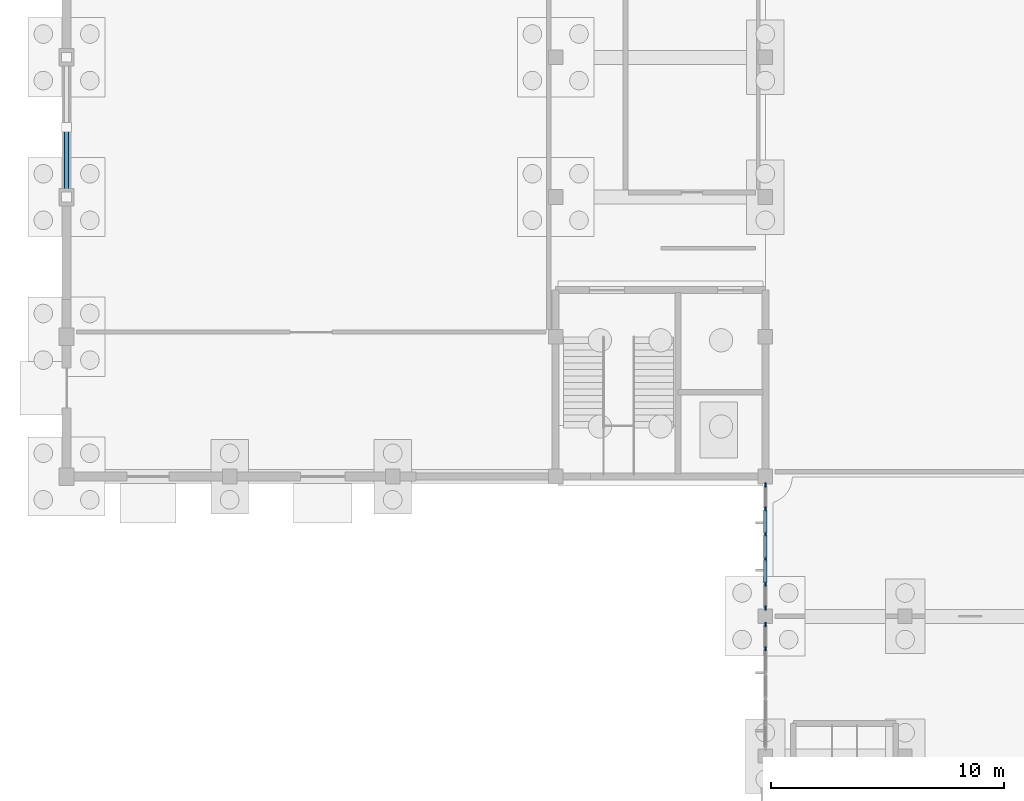
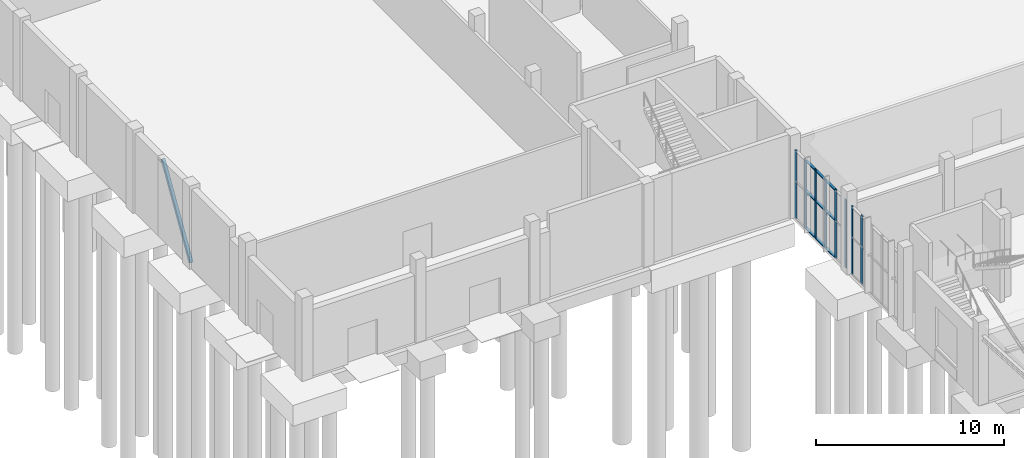
# One storey, part 9 of 69: 18 members, 2 elements without a shape of their own.
"""IFC4 building model written with IfcOpenShell, lengths in metres."""

from ifc_helpers import new_model, si_unit, direction, frame, origin, origin_2d, place, context, subcontext, project, spatial, rectangle, hollow_rectangle, extrude, material, layer, layer_set, material_profile, profile_set, type_object, element, aggregate, save


model = new_model("IFC4")

# Units and contexts
model_context = context("Model", 3, precision=1e-05, world=origin(), true_north=direction((0.0, 1.0)))
body_context = subcontext(model_context, "Body", "Model", "MODEL_VIEW")
ifc_project = project(units=[si_unit("LENGTHUNIT", "METRE"), si_unit("AREAUNIT", "SQUARE_METRE"), si_unit("VOLUMEUNIT", "CUBIC_METRE"), si_unit("PLANEANGLEUNIT", "RADIAN"), si_unit("MASSUNIT", "GRAM", prefix="KILO")], contexts=[model_context])

# Site, building, storey
site_placement = place(None, origin())
site = spatial("IfcSite", under=ifc_project, at=site_placement, CompositionType="ELEMENT")
building_placement = place(site_placement, origin())
building = spatial("IfcBuilding", under=site, at=building_placement, Name="Solvane Community Centre", CompositionType="ELEMENT")
storey_placement = place(building_placement, origin())
storey = spatial("IfcBuildingStorey", under=building, at=storey_placement, Name="L00", CompositionType="ELEMENT", Elevation=0.0)

# Curtain wall, members
ifc_material_1 = material(Name="Anodised bronze aluminium AW-6063 T6", Category="aluminium")
ifc_layer = layer(ifc_material_1, 0.18994140625)
ifc_layer_set = layer_set([ifc_layer], Name="Anodised bronze aluminium AW-6063 T6")
curtain_wall_type = type_object("IfcCurtainWallType", Name="Boulevard Bronze Vision Curtain Wall [54x44dm]", PredefinedType="NOTDEFINED", material=ifc_layer_set)
curtain_wall_1_placement = place(storey_placement, origin())
curtain_wall_1 = element("IfcCurtainWall", 1, at=curtain_wall_1_placement, inside=storey, type_object=curtain_wall_type, Name="Curtain Wall CW-L00-360_303-003", PredefinedType="NOTDEFINED")
ifc_material_profile_1 = material_profile(ifc_material_1, rectangle(XDim=0.06005859375, YDim=0.18994140625, at=origin_2d()), Name="CW-M 60x190")
ifc_profile_set_1 = profile_set([ifc_material_profile_1], Name="Anodised bronze aluminium AW-6063 T6")
member_type_1 = type_object("IfcMemberType", Name="Boulevard Mullion 60x190", PredefinedType="MULLION", material=ifc_profile_set_1)
member_1_placement = place(storey_placement, frame((36.0, 34.60791015625, 0.0), z_axis=(0.0, 0.0, 1.0), x_axis=(-1.0, 0.0, 0.0)))
member_1 = element("IfcMember", 2, at=member_1_placement, type_object=member_type_1, Name="CW02-54x44 mullion 5", PredefinedType="MULLION", context=body_context, shape_type="SweptSolid", body=[
    extrude(rectangle(XDim=0.06005859375, YDim=0.18994140625, at=origin_2d()), origin(), (0.0, 0.0, 1.0), 4.425048828125),
])
member_2_placement = place(storey_placement, frame((36.0, 35.64990234375, 0.0), z_axis=(0.0, 0.0, 1.0), x_axis=(-1.0, 0.0, 0.0)))
member_2 = element("IfcMember", 3, at=member_2_placement, type_object=member_type_1, Name="CW02-54x44 mullion 6", PredefinedType="MULLION", context=body_context, shape_type="SweptSolid", body=[
    extrude(rectangle(XDim=0.06005859375, YDim=0.18994140625, at=origin_2d()), origin(), (0.0, 0.0, 1.0), 4.425048828125),
])
aggregate(curtain_wall_1, [member_1, member_2])

curtain_wall_2_placement = place(storey_placement, origin())
curtain_wall_2 = element("IfcCurtainWall", 4, at=curtain_wall_2_placement, inside=storey, type_object=curtain_wall_type, Name="Curtain Wall CW-L00-360_363-004", PredefinedType="NOTDEFINED")
member_3_placement = place(storey_placement, frame((36.0, 36.35009765625, 0.0), z_axis=(0.0, 0.0, 1.0), x_axis=(-1.0, 0.0, 0.0)))
member_3 = element("IfcMember", 5, at=member_3_placement, type_object=member_type_1, Name="CW02-54x44 mullion 1", PredefinedType="MULLION", context=body_context, shape_type="SweptSolid", body=[
    extrude(rectangle(XDim=0.06005859375, YDim=0.18994140625, at=origin_2d()), origin(), (0.0, 0.0, 1.0), 4.425048828125),
])
member_4_placement = place(storey_placement, frame((36.0, 37.389892578125, 0.0), z_axis=(0.0, 0.0, 1.0), x_axis=(-1.0, 0.0, 0.0)))
member_4 = element("IfcMember", 6, at=member_4_placement, type_object=member_type_1, Name="CW02-54x44 mullion 2", PredefinedType="MULLION", context=body_context, shape_type="SweptSolid", body=[
    extrude(rectangle(XDim=0.06005859375, YDim=0.18994140625, at=origin_2d()), origin(), (0.0, 0.0, 1.0), 4.425048828125),
])
member_5_placement = place(storey_placement, frame((36.0, 38.4599609375, 0.0), z_axis=(0.0, 0.0, 1.0), x_axis=(-1.0, 0.0, 0.0)))
member_5 = element("IfcMember", 7, at=member_5_placement, type_object=member_type_1, Name="CW02-54x44 mullion 3", PredefinedType="MULLION", context=body_context, shape_type="SweptSolid", body=[
    extrude(rectangle(XDim=0.06005859375, YDim=0.18994140625, at=origin_2d()), origin(), (0.0, 0.0, 1.0), 4.425048828125),
])
member_6_placement = place(storey_placement, frame((36.0, 39.530029296875, 0.0), z_axis=(0.0, 0.0, 1.0), x_axis=(-1.0, 0.0, 0.0)))
member_6 = element("IfcMember", 8, at=member_6_placement, type_object=member_type_1, Name="CW02-54x44 mullion 4", PredefinedType="MULLION", context=body_context, shape_type="SweptSolid", body=[
    extrude(rectangle(XDim=0.06005859375, YDim=0.18994140625, at=origin_2d()), origin(), (0.0, 0.0, 1.0), 4.425048828125),
])
member_7_placement = place(storey_placement, frame((36.0, 40.60009765625, 0.0), z_axis=(0.0, 0.0, 1.0), x_axis=(-1.0, 0.0, 0.0)))
member_7 = element("IfcMember", 9, at=member_7_placement, type_object=member_type_1, Name="CW02-54x44 mullion 5", PredefinedType="MULLION", context=body_context, shape_type="SweptSolid", body=[
    extrude(rectangle(XDim=0.06005859375, YDim=0.18994140625, at=origin_2d()), origin(), (0.0, 0.0, 1.0), 4.425048828125),
])
member_8_placement = place(storey_placement, frame((36.0, 41.639892578125, 0.0), z_axis=(0.0, 0.0, 1.0), x_axis=(-1.0, 0.0, 0.0)))
member_8 = element("IfcMember", 10, at=member_8_placement, type_object=member_type_1, Name="CW02-54x44 mullion 6", PredefinedType="MULLION", context=body_context, shape_type="SweptSolid", body=[
    extrude(rectangle(XDim=0.06005859375, YDim=0.18994140625, at=origin_2d()), origin(), (0.0, 0.0, 1.0), 4.425048828125),
])
ifc_material_profile_2 = material_profile(ifc_material_1, rectangle(XDim=0.14990234375, YDim=0.06005859375, at=origin_2d()), Name="CW-T 60x150")
ifc_profile_set_2 = profile_set([ifc_material_profile_2], Name="Anodised bronze aluminium AW-6063 T6")
member_type_2 = type_object("IfcMemberType", Name="Boulevard Transom 60x150", PredefinedType="USERDEFINED", material=ifc_profile_set_2)
member_9_placement = place(storey_placement, frame((36.0, 37.419921875, 0.030029296875), z_axis=(0.0, 1.0, 0.0), x_axis=(-1.0, 0.0, 0.0)))
member_9 = element("IfcMember", 11, at=member_9_placement, type_object=member_type_2, Name="CW02-54x44 transom 2.1", ObjectType="TRANSOM", PredefinedType="USERDEFINED", context=body_context, shape_type="SweptSolid", body=[
    extrude(rectangle(XDim=0.14990234375, YDim=0.06005859375, at=origin_2d()), origin(), (0.0, 0.0, 1.0), 1.010009765625),
])
member_10_placement = place(storey_placement, frame((36.0, 37.419921875, 2.43408203125), z_axis=(0.0, 1.0, 0.0), x_axis=(-1.0, 0.0, 0.0)))
member_10 = element("IfcMember", 12, at=member_10_placement, type_object=member_type_2, Name="CW02-54x44 transom 2.2", ObjectType="TRANSOM", PredefinedType="USERDEFINED", context=body_context, shape_type="SweptSolid", body=[
    extrude(rectangle(XDim=0.14990234375, YDim=0.06005859375, at=origin_2d()), origin(), (0.0, 0.0, 1.0), 1.010009765625),
])
member_11_placement = place(storey_placement, frame((36.0, 37.419921875, 4.39501953125), z_axis=(0.0, 1.0, 0.0), x_axis=(-1.0, 0.0, 0.0)))
member_11 = element("IfcMember", 13, at=member_11_placement, type_object=member_type_2, Name="CW02-54x44 transom 2.3", ObjectType="TRANSOM", PredefinedType="USERDEFINED", context=body_context, shape_type="SweptSolid", body=[
    extrude(rectangle(XDim=0.14990234375, YDim=0.06005859375, at=origin_2d()), origin(), (0.0, 0.0, 1.0), 1.010009765625),
])
member_12_placement = place(storey_placement, frame((36.0, 38.489990234375, 0.030029296875), z_axis=(0.0, 1.0, 0.0), x_axis=(-1.0, 0.0, 0.0)))
member_12 = element("IfcMember", 14, at=member_12_placement, type_object=member_type_2, Name="CW02-54x44 transom 3.1", ObjectType="TRANSOM", PredefinedType="USERDEFINED", context=body_context, shape_type="SweptSolid", body=[
    extrude(rectangle(XDim=0.14990234375, YDim=0.06005859375, at=origin_2d()), origin(), (0.0, 0.0, 1.0), 1.010009765625),
])
member_13_placement = place(storey_placement, frame((36.0, 38.489990234375, 2.43408203125), z_axis=(0.0, 1.0, 0.0), x_axis=(-1.0, 0.0, 0.0)))
member_13 = element("IfcMember", 15, at=member_13_placement, type_object=member_type_2, Name="CW02-54x44 transom 3.2", ObjectType="TRANSOM", PredefinedType="USERDEFINED", context=body_context, shape_type="SweptSolid", body=[
    extrude(rectangle(XDim=0.14990234375, YDim=0.06005859375, at=origin_2d()), origin(), (0.0, 0.0, 1.0), 1.010009765625),
])
member_14_placement = place(storey_placement, frame((36.0, 38.489990234375, 4.39501953125), z_axis=(0.0, 1.0, 0.0), x_axis=(-1.0, 0.0, 0.0)))
member_14 = element("IfcMember", 16, at=member_14_placement, type_object=member_type_2, Name="CW02-54x44 transom 3.3", ObjectType="TRANSOM", PredefinedType="USERDEFINED", context=body_context, shape_type="SweptSolid", body=[
    extrude(rectangle(XDim=0.14990234375, YDim=0.06005859375, at=origin_2d()), origin(), (0.0, 0.0, 1.0), 1.010009765625),
])
member_15_placement = place(storey_placement, frame((36.0, 39.56005859375, 0.030029296875), z_axis=(0.0, 1.0, 0.0), x_axis=(-1.0, 0.0, 0.0)))
member_15 = element("IfcMember", 17, at=member_15_placement, type_object=member_type_2, Name="CW02-54x44 transom 4.1", ObjectType="TRANSOM", PredefinedType="USERDEFINED", context=body_context, shape_type="SweptSolid", body=[
    extrude(rectangle(XDim=0.14990234375, YDim=0.06005859375, at=origin_2d()), origin(), (0.0, 0.0, 1.0), 1.010009765625),
])
member_16_placement = place(storey_placement, frame((36.0, 39.56005859375, 2.43408203125), z_axis=(0.0, 1.0, 0.0), x_axis=(-1.0, 0.0, 0.0)))
member_16 = element("IfcMember", 18, at=member_16_placement, type_object=member_type_2, Name="CW02-54x44 transom 4.2", ObjectType="TRANSOM", PredefinedType="USERDEFINED", context=body_context, shape_type="SweptSolid", body=[
    extrude(rectangle(XDim=0.14990234375, YDim=0.06005859375, at=origin_2d()), origin(), (0.0, 0.0, 1.0), 1.010009765625),
])
member_17_placement = place(storey_placement, frame((36.0, 39.56005859375, 4.39501953125), z_axis=(0.0, 1.0, 0.0), x_axis=(-1.0, 0.0, 0.0)))
member_17 = element("IfcMember", 19, at=member_17_placement, type_object=member_type_2, Name="CW02-54x44 transom 4.3", ObjectType="TRANSOM", PredefinedType="USERDEFINED", context=body_context, shape_type="SweptSolid", body=[
    extrude(rectangle(XDim=0.14990234375, YDim=0.06005859375, at=origin_2d()), origin(), (0.0, 0.0, 1.0), 1.010009765625),
])
aggregate(curtain_wall_2, [member_3, member_4, member_5, member_6, member_7, member_8, member_9, member_10, member_11, member_12, member_13, member_14, member_15, member_16, member_17])

# Member
ifc_material_2 = material(Name="Steel ASTM A572 Grade 50", Category="steel")
ifc_material_profile_3 = material_profile(ifc_material_2, hollow_rectangle(XDim=0.203125, YDim=0.203125, WallThickness=0.0126953125, InnerFilletRadius=0.0126953125, OuterFilletRadius=0.025390625, at=origin_2d()), Name="HSS 203x203x12.7")
ifc_profile_set_3 = profile_set([ifc_material_profile_3], Name="Steel ASTM A572 Grade 50")
member_type_3 = type_object("IfcMemberType", Name="Heavy Frame Seismic Brace HSS203", PredefinedType="BRACE", material=ifc_profile_set_3)
member_18_placement = place(storey_placement, frame((6.0, 54.0, 0.1201171875), z_axis=(0.0, 0.520613450524, 0.853792501217), x_axis=(-1.0, 0.0, 0.0)))
element("IfcMember", 20, at=member_18_placement, inside=storey, type_object=member_type_3, Name="Member MEM-L00-0376", PredefinedType="BRACE", context=body_context, shape_type="SweptSolid", body=[
    extrude(hollow_rectangle(XDim=0.203125, YDim=0.203125, WallThickness=0.0126953125, InnerFilletRadius=0.0126953125, OuterFilletRadius=0.025390625, at=origin_2d()), origin(), (0.0, 0.0, 1.0), 5.762451171875),
])

save(model, "model.ifc")
